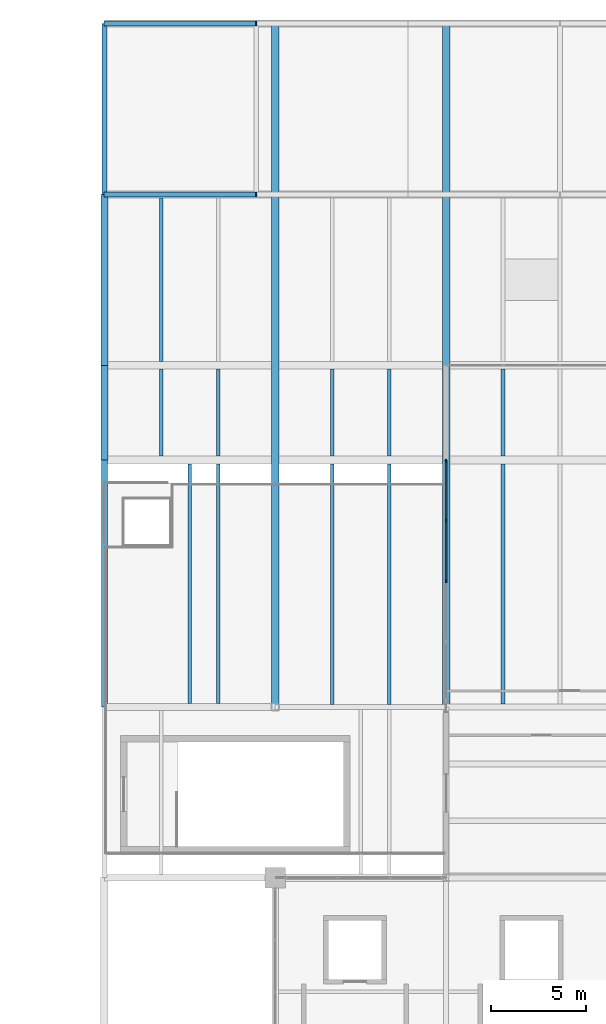
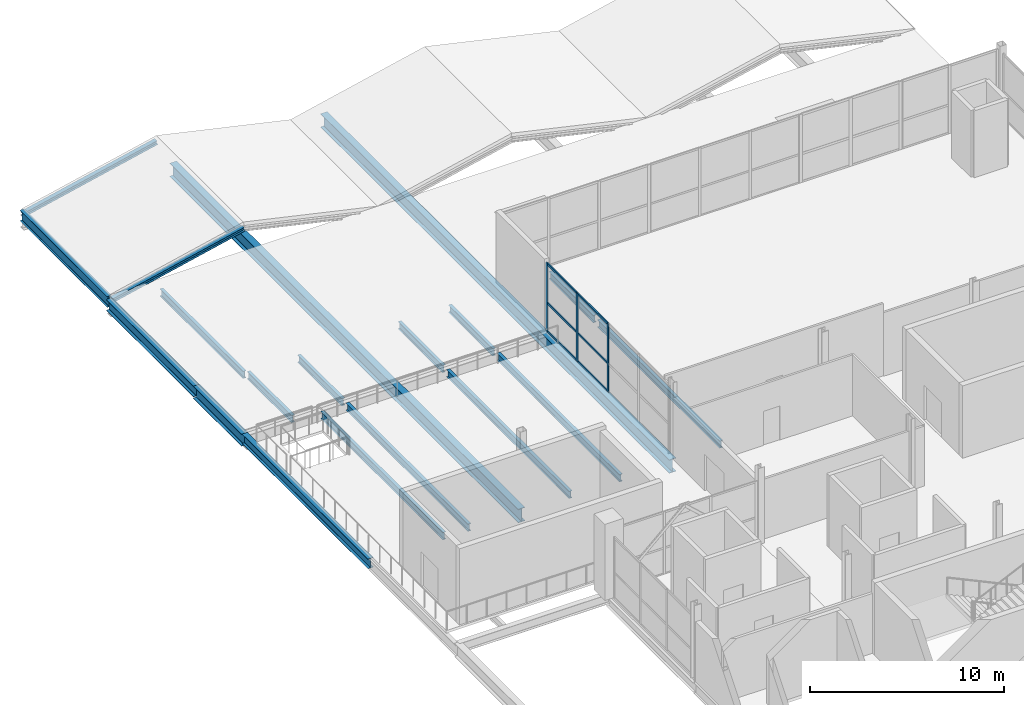
# One storey, part 21 of 50: 19 beams, 9 members, 1 element without a shape of its own.
"""IFC4 building model written with IfcOpenShell, lengths in metres."""

from ifc_helpers import new_model, si_unit, direction, frame, origin, origin_2d, place, context, subcontext, project, spatial, rectangle, i_section, extrude, material, layer, layer_set, material_profile, profile_set, type_object, element, aggregate, save


model = new_model("IFC4")

# Units and contexts
model_context = context("Model", 3, precision=1e-05, world=origin(), true_north=direction((0.0, 1.0)))
body_context = subcontext(model_context, "Body", "Model", "MODEL_VIEW")
ifc_project = project(units=[si_unit("LENGTHUNIT", "METRE"), si_unit("AREAUNIT", "SQUARE_METRE"), si_unit("VOLUMEUNIT", "CUBIC_METRE"), si_unit("PLANEANGLEUNIT", "RADIAN"), si_unit("MASSUNIT", "GRAM", prefix="KILO")], contexts=[model_context])

# Site, building, storey
site_placement = place(None, origin())
site = spatial("IfcSite", under=ifc_project, at=site_placement, CompositionType="ELEMENT")
building_placement = place(site_placement, origin())
building = spatial("IfcBuilding", under=site, at=building_placement, Name="Qamarlyn Nura Convention Centre", CompositionType="ELEMENT")
storey_placement = place(building_placement, frame((0.0, 0.0, 20.39990234375)))
storey = spatial("IfcBuildingStorey", under=building, at=storey_placement, Name="L04", CompositionType="ELEMENT", Elevation=20.39990234375)

# Beams
ifc_material_1 = material(Name="Steel ASTM A992", Category="steel")
ifc_material_profile_1 = material_profile(ifc_material_1, i_section(OverallWidth=0.323974609375, OverallDepth=0.611083984375, WebThickness=0.0126953125, FlangeThickness=0.01904296875, FilletRadius=0.01611328125, at=origin_2d()), Name="W610X155")
ifc_profile_set_1 = profile_set([ifc_material_profile_1], Name="Steel ASTM A992")
beam_type_1 = type_object("IfcBeamType", Name="BM-GIRD-610", PredefinedType="BEAM", material=ifc_profile_set_1)
beam_1_placement = place(storey_placement, frame((144.0, 90.0, -0.470458984375), z_axis=(0.0, 1.0, 0.0), x_axis=(-1.0, 0.0, 0.0)))
element("IfcBeam", 1, at=beam_1_placement, inside=storey, type_object=beam_type_1, Name="L04 girder 12 L-M", PredefinedType="BEAM", context=body_context, shape_type="SweptSolid", body=[
    extrude(i_section(OverallWidth=0.323974609375, OverallDepth=0.611083984375, WebThickness=0.0126953125, FlangeThickness=0.01904296875, FilletRadius=0.01611328125, at=origin_2d()), origin(), (0.0, 0.0, 1.0), 13.0),
])
ifc_material_profile_2 = material_profile(ifc_material_1, i_section(OverallWidth=0.35498046875, OverallDepth=0.695068359375, WebThickness=0.015380859375, FlangeThickness=0.02490234375, FilletRadius=0.01806640625, at=origin_2d()), Name="W690X217")
ifc_profile_set_2 = profile_set([ifc_material_profile_2], Name="Steel ASTM A992")
beam_type_2 = type_object("IfcBeamType", Name="BM-GIRD-690A", PredefinedType="BEAM", material=ifc_profile_set_2)
beam_2_placement = place(storey_placement, frame((144.0, 108.0, -0.50732421875), z_axis=(0.0, 1.0, 0.0), x_axis=(-1.0, 0.0, 0.0)))
element("IfcBeam", 2, at=beam_2_placement, inside=storey, type_object=beam_type_2, Name="L04 girder 12 N-P", PredefinedType="BEAM", context=body_context, shape_type="SweptSolid", body=[
    extrude(i_section(OverallWidth=0.35498046875, OverallDepth=0.695068359375, WebThickness=0.015380859375, FlangeThickness=0.02490234375, FilletRadius=0.01806640625, at=origin_2d()), origin(), (0.0, 0.0, 1.0), 9.0),
])
ifc_material_profile_3 = material_profile(ifc_material_1, i_section(OverallWidth=0.25390625, OverallDepth=0.68408203125, WebThickness=0.012451171875, FlangeThickness=0.01904296875, FilletRadius=0.01806640625, at=origin_2d()), Name="W690X140")
ifc_profile_set_3 = profile_set([ifc_material_profile_3], Name="Steel ASTM A992")
beam_type_3 = type_object("IfcBeamType", Name="BM-GIRD-690B", PredefinedType="BEAM", material=ifc_profile_set_3)
beam_3_placement = place(storey_placement, frame((144.0, 117.0, -0.341796875), z_axis=(0.0, 1.0, 0.0), x_axis=(-1.0, 0.0, 0.0)))
element("IfcBeam", 3, at=beam_3_placement, inside=storey, type_object=beam_type_3, Name="L04 girder 12 P-Q", PredefinedType="BEAM", context=body_context, shape_type="SweptSolid", body=[
    extrude(i_section(OverallWidth=0.25390625, OverallDepth=0.68408203125, WebThickness=0.012451171875, FlangeThickness=0.01904296875, FilletRadius=0.01806640625, at=origin_2d()), origin(), (0.0, 0.0, 1.0), 9.0),
])
ifc_material_profile_4 = material_profile(ifc_material_1, i_section(OverallWidth=0.381103515625, OverallDepth=0.77294921875, WebThickness=0.0166015625, FlangeThickness=0.027587890625, FilletRadius=0.02001953125, at=origin_2d()), Name="W760X257")
ifc_profile_set_4 = profile_set([ifc_material_profile_4], Name="Steel ASTM A992")
beam_type_4 = type_object("IfcBeamType", Name="BM-GIRD-760", PredefinedType="BEAM", material=ifc_profile_set_4)
beam_4_placement = place(storey_placement, frame((144.0, 103.0, -0.54638671875), z_axis=(0.0, 1.0, 0.0), x_axis=(-1.0, 0.0, 0.0)))
element("IfcBeam", 4, at=beam_4_placement, inside=storey, type_object=beam_type_4, Name="L04 girder 12 M-N", PredefinedType="BEAM", context=body_context, shape_type="SweptSolid", body=[
    extrude(i_section(OverallWidth=0.381103515625, OverallDepth=0.77294921875, WebThickness=0.0166015625, FlangeThickness=0.027587890625, FilletRadius=0.02001953125, at=origin_2d()), origin(), (0.0, 0.0, 1.0), 5.0),
])
ifc_material_profile_5 = material_profile(ifc_material_1, i_section(OverallWidth=0.39990234375, OverallDepth=0.85498046875, WebThickness=0.018310546875, FlangeThickness=0.029296875, FilletRadius=0.02197265625, at=origin_2d()), Name="W840X299")
ifc_profile_set_5 = profile_set([ifc_material_profile_5], Name="Steel ASTM A992")
beam_type_5 = type_object("IfcBeamType", Name="BM-GIRD-840", PredefinedType="BEAM", material=ifc_profile_set_5)
for number, where, z_axis, x_axis, name in (
    (5, (153.0, 90.0, -0.59228515625), (0.0, 1.0, 0.0), (-1.0, 0.0, 0.0), "L04 girder 13 L-Q"),
    (6, (162.0, 90.0, -0.62744140625), (0.0, 1.0, 0.0), (-1.0, 0.0, 0.0), "L04 girder 14 L-Q"),
):
    element("IfcBeam", number, at=place(storey_placement, frame(where, z_axis=z_axis, x_axis=x_axis)), inside=storey, type_object=beam_type_5, Name=name, PredefinedType="BEAM", context=body_context, shape_type="SweptSolid", body=[
        extrude(i_section(OverallWidth=0.39990234375, OverallDepth=0.85498046875, WebThickness=0.018310546875, FlangeThickness=0.029296875, FilletRadius=0.02197265625, at=origin_2d()), origin(), (0.0, 0.0, 1.0), 36.0),
    ])
ifc_material_profile_6 = material_profile(ifc_material_1, i_section(OverallWidth=0.18994140625, OverallDepth=0.45703125, WebThickness=0.009033203125, FlangeThickness=0.014404296875, FilletRadius=0.012939453125, at=origin_2d()), Name="W460X74")
ifc_profile_set_6 = profile_set([ifc_material_profile_6], Name="Steel ASTM A992")
beam_type_6 = type_object("IfcBeamType", Name="BM-JOIST-460", PredefinedType="JOIST", material=ifc_profile_set_6)
for number, where, z_axis, x_axis, name in (
    (7, (150.0, 90.177490234375, -0.428466796875), (0.0, 1.0, 0.0), (-1.0, 0.0, 0.0), "L04 secondary joist 12-13/L-M-02"),
    (8, (148.5, 90.177490234375, -0.428466796875), (0.0, 1.0, 0.0), (-1.0, 0.0, 0.0), "L04 secondary joist 12-13/L-M-03"),
):
    element("IfcBeam", number, at=place(storey_placement, frame(where, z_axis=z_axis, x_axis=x_axis)), inside=storey, type_object=beam_type_6, Name=name, PredefinedType="JOIST", context=body_context, shape_type="SweptSolid", body=[
        extrude(i_section(OverallWidth=0.18994140625, OverallDepth=0.45703125, WebThickness=0.009033203125, FlangeThickness=0.014404296875, FilletRadius=0.012939453125, at=origin_2d()), origin(), (0.0, 0.0, 1.0), 12.613525390625),
    ])
for number, where, z_axis, x_axis, name in (
    (9, (147.0, 103.208984375, -0.428466796875), (0.0, 1.0, 0.0), (-1.0, 0.0, 0.0), "L04 secondary joist 12-13/M-N-04"),
    (10, (150.0, 103.208984375, -0.428466796875), (0.0, 1.0, 0.0), (-1.0, 0.0, 0.0), "L04 secondary joist 12-13/M-N-05"),
):
    element("IfcBeam", number, at=place(storey_placement, frame(where, z_axis=z_axis, x_axis=x_axis)), inside=storey, type_object=beam_type_6, Name=name, PredefinedType="JOIST", context=body_context, shape_type="SweptSolid", body=[
        extrude(i_section(OverallWidth=0.18994140625, OverallDepth=0.45703125, WebThickness=0.009033203125, FlangeThickness=0.014404296875, FilletRadius=0.012939453125, at=origin_2d()), origin(), (0.0, 0.0, 1.0), 4.58203125),
    ])
beam_5_placement = place(storey_placement, frame((147.0, 108.208984375, -0.677001953125), z_axis=(0.0, 1.0, 0.0), x_axis=(-1.0, 0.0, 0.0)))
element("IfcBeam", 11, at=beam_5_placement, inside=storey, type_object=beam_type_6, Name="L04 secondary joist 12-13/N-P-06", PredefinedType="JOIST", context=body_context, shape_type="SweptSolid", body=[
    extrude(i_section(OverallWidth=0.18994140625, OverallDepth=0.45703125, WebThickness=0.009033203125, FlangeThickness=0.014404296875, FilletRadius=0.012939453125, at=origin_2d()), origin(), (0.0, 0.0, 1.0), 8.6005859375),
])
for number, where, z_axis, x_axis, name in (
    (12, (156.0, 90.126953125, -0.428466796875), (0.0, 1.0, 0.0), (-1.0, 0.0, 0.0), "L04 secondary joist 13-14/L-M-18"),
    (13, (159.0, 90.126953125, -0.428466796875), (0.0, 1.0, 0.0), (-1.0, 0.0, 0.0), "L04 secondary joist 13-14/L-M-19"),
):
    element("IfcBeam", number, at=place(storey_placement, frame(where, z_axis=z_axis, x_axis=x_axis)), inside=storey, type_object=beam_type_6, Name=name, PredefinedType="JOIST", context=body_context, shape_type="SweptSolid", body=[
        extrude(i_section(OverallWidth=0.18994140625, OverallDepth=0.45703125, WebThickness=0.009033203125, FlangeThickness=0.014404296875, FilletRadius=0.012939453125, at=origin_2d()), origin(), (0.0, 0.0, 1.0), 12.6640625),
    ])
for number, where, z_axis, x_axis, name in (
    (14, (156.0, 103.208984375, -0.428466796875), (0.0, 1.0, 0.0), (-1.0, 0.0, 0.0), "L04 secondary joist 13-14/M-N-20"),
    (15, (159.0, 103.208984375, -0.428466796875), (0.0, 1.0, 0.0), (-1.0, 0.0, 0.0), "L04 secondary joist 13-14/M-N-21"),
):
    element("IfcBeam", number, at=place(storey_placement, frame(where, z_axis=z_axis, x_axis=x_axis)), inside=storey, type_object=beam_type_6, Name=name, PredefinedType="JOIST", context=body_context, shape_type="SweptSolid", body=[
        extrude(i_section(OverallWidth=0.18994140625, OverallDepth=0.45703125, WebThickness=0.009033203125, FlangeThickness=0.014404296875, FilletRadius=0.012939453125, at=origin_2d()), origin(), (0.0, 0.0, 1.0), 4.58203125),
    ])
beam_6_placement = place(storey_placement, frame((165.0, 90.162109375, -0.428466796875), z_axis=(0.0, 1.0, 0.0), x_axis=(-1.0, 0.0, 0.0)))
element("IfcBeam", 16, at=beam_6_placement, inside=storey, type_object=beam_type_6, Name="L04 secondary joist 14-15/L-M-32", PredefinedType="JOIST", context=body_context, shape_type="SweptSolid", body=[
    extrude(i_section(OverallWidth=0.18994140625, OverallDepth=0.45703125, WebThickness=0.009033203125, FlangeThickness=0.014404296875, FilletRadius=0.012939453125, at=origin_2d()), origin(), (0.0, 0.0, 1.0), 12.62890625),
])
beam_7_placement = place(storey_placement, frame((165.0, 103.208984375, -0.428466796875), z_axis=(0.0, 1.0, 0.0), x_axis=(-1.0, 0.0, 0.0)))
element("IfcBeam", 17, at=beam_7_placement, inside=storey, type_object=beam_type_6, Name="L04 secondary joist 14-15/M-N-34", PredefinedType="JOIST", context=body_context, shape_type="SweptSolid", body=[
    extrude(i_section(OverallWidth=0.18994140625, OverallDepth=0.45703125, WebThickness=0.009033203125, FlangeThickness=0.014404296875, FilletRadius=0.012939453125, at=origin_2d()), origin(), (0.0, 0.0, 1.0), 4.58203125),
])
ifc_material_profile_7 = material_profile(ifc_material_1, i_section(OverallWidth=0.25390625, OverallDepth=0.2529296875, WebThickness=0.008544921875, FlangeThickness=0.01416015625, FilletRadius=0.012939453125, at=origin_2d()), Name="W250X73")
ifc_profile_set_7 = profile_set([ifc_material_profile_7], Name="Steel ASTM A992")
beam_type_7 = type_object("IfcBeamType", Name="BM-PURL-250", PredefinedType="BEAM", material=ifc_profile_set_7)
for number, where, z_axis, x_axis, name in (
    (18, (144.0, 117.0, -0.31982421875), (0.97561485681, 0.0, 0.21948952406), (0.0, 1.0, 0.0), "ROOF TRUSS Plenary rafter 1W-117"),
    (19, (144.0, 126.0, -0.31982421875), (0.97561485681, 0.0, 0.21948952406), (0.0, 1.0, 0.0), "ROOF TRUSS Plenary rafter 1W-126"),
):
    element("IfcBeam", number, at=place(storey_placement, frame(where, z_axis=z_axis, x_axis=x_axis)), inside=storey, type_object=beam_type_7, Name=name, PredefinedType="BEAM", context=body_context, shape_type="SweptSolid", body=[
        extrude(i_section(OverallWidth=0.25390625, OverallDepth=0.2529296875, WebThickness=0.008544921875, FlangeThickness=0.01416015625, FilletRadius=0.012939453125, at=origin_2d()), origin(), (0.0, 0.0, 1.0), 8.199951171875),
    ])

# Curtain wall, members
ifc_material_2 = material(Name="Double-silver low-E insulated glass", Category="glass")
ifc_layer = layer(ifc_material_2, 0.179931640625, Name="CW-UNIT-148")
ifc_layer_set = layer_set([ifc_layer], Name="Double-silver low-E insulated glass")
curtain_wall_type = type_object("IfcCurtainWallType", Name="CW-UNIT-148", PredefinedType="NOTDEFINED", material=ifc_layer_set)
curtain_wall_placement = place(storey_placement, origin())
curtain_wall = element("IfcCurtainWall", 20, at=curtain_wall_placement, inside=storey, type_object=curtain_wall_type, Name="L04 unitised curtain wall DLW-90-1", PredefinedType="NOTDEFINED")
ifc_material_3 = material(Name="Champagne-anodised marine aluminium", Category="aluminium")
ifc_material_profile_8 = material_profile(ifc_material_3, rectangle(XDim=0.070068359375, YDim=0.179931640625, at=origin_2d()), Name="ALU MULLION 70x180")
ifc_profile_set_8 = profile_set([ifc_material_profile_8], Name="Champagne-anodised marine aluminium")
member_type_1 = type_object("IfcMemberType", Name="CWM-180", PredefinedType="MULLION", material=ifc_profile_set_8)
member_1_placement = place(storey_placement, frame((162.0, 96.634765625, 0.0), z_axis=(0.0, 0.0, 1.0), x_axis=(-1.0, 0.0, 0.0)))
member_1 = element("IfcMember", 21, at=member_1_placement, type_object=member_type_1, Name="CW148 mullion 3", PredefinedType="MULLION", context=body_context, shape_type="SweptSolid", body=[
    extrude(rectangle(XDim=0.070068359375, YDim=0.179931640625, at=origin_2d()), origin(), (0.0, 0.0, 1.0), 4.31005859375),
])
member_2_placement = place(storey_placement, frame((162.0, 99.8173828125, 0.0), z_axis=(0.0, 0.0, 1.0), x_axis=(-1.0, 0.0, 0.0)))
member_2 = element("IfcMember", 22, at=member_2_placement, type_object=member_type_1, Name="CW148 mullion 4", PredefinedType="MULLION", context=body_context, shape_type="SweptSolid", body=[
    extrude(rectangle(XDim=0.070068359375, YDim=0.179931640625, at=origin_2d()), origin(), (0.0, 0.0, 1.0), 4.31005859375),
])
member_3_placement = place(storey_placement, frame((162.0, 102.965087890625, 0.0), z_axis=(0.0, 0.0, 1.0), x_axis=(-1.0, 0.0, 0.0)))
member_3 = element("IfcMember", 23, at=member_3_placement, type_object=member_type_1, Name="CW148 mullion 5", PredefinedType="MULLION", context=body_context, shape_type="SweptSolid", body=[
    extrude(rectangle(XDim=0.070068359375, YDim=0.179931640625, at=origin_2d()), origin(), (0.0, 0.0, 1.0), 4.31005859375),
])
ifc_material_profile_9 = material_profile(ifc_material_3, rectangle(XDim=0.070068359375, YDim=0.139892578125, at=origin_2d()), Name="ALU TRANSOM 70x140")
ifc_profile_set_9 = profile_set([ifc_material_profile_9], Name="Champagne-anodised marine aluminium")
member_type_2 = type_object("IfcMemberType", Name="CWT-140", PredefinedType="USERDEFINED", material=ifc_profile_set_9)
member_4_placement = place(storey_placement, frame((162.0, 96.669677734375, 0.03515625), z_axis=(0.0, 1.0, 0.0), x_axis=(-1.0, 0.0, 0.0)))
member_4 = element("IfcMember", 24, at=member_4_placement, type_object=member_type_2, Name="CW148 transom 3.1", ObjectType="TRANSOM", PredefinedType="USERDEFINED", context=body_context, shape_type="SweptSolid", body=[
    extrude(rectangle(XDim=0.070068359375, YDim=0.139892578125, at=origin_2d()), origin(), (0.0, 0.0, 1.0), 3.11279296875),
])
member_5_placement = place(storey_placement, frame((162.0, 96.669677734375, 1.81005859375), z_axis=(0.0, 1.0, 0.0), x_axis=(-1.0, 0.0, 0.0)))
member_5 = element("IfcMember", 25, at=member_5_placement, type_object=member_type_2, Name="CW148 transom 3.2", ObjectType="TRANSOM", PredefinedType="USERDEFINED", context=body_context, shape_type="SweptSolid", body=[
    extrude(rectangle(XDim=0.070068359375, YDim=0.139892578125, at=origin_2d()), origin(), (0.0, 0.0, 1.0), 3.11279296875),
])
member_6_placement = place(storey_placement, frame((162.0, 96.669677734375, 4.275146484375), z_axis=(0.0, 1.0, 0.0), x_axis=(-1.0, 0.0, 0.0)))
member_6 = element("IfcMember", 26, at=member_6_placement, type_object=member_type_2, Name="CW148 transom 3.3", ObjectType="TRANSOM", PredefinedType="USERDEFINED", context=body_context, shape_type="SweptSolid", body=[
    extrude(rectangle(XDim=0.070068359375, YDim=0.139892578125, at=origin_2d()), origin(), (0.0, 0.0, 1.0), 3.11279296875),
])
member_7_placement = place(storey_placement, frame((162.0, 99.852294921875, 0.03515625), z_axis=(0.0, 1.0, 0.0), x_axis=(-1.0, 0.0, 0.0)))
member_7 = element("IfcMember", 27, at=member_7_placement, type_object=member_type_2, Name="CW148 transom 4.1", ObjectType="TRANSOM", PredefinedType="USERDEFINED", context=body_context, shape_type="SweptSolid", body=[
    extrude(rectangle(XDim=0.070068359375, YDim=0.139892578125, at=origin_2d()), origin(), (0.0, 0.0, 1.0), 3.07763671875),
])
member_8_placement = place(storey_placement, frame((162.0, 99.852294921875, 1.81005859375), z_axis=(0.0, 1.0, 0.0), x_axis=(-1.0, 0.0, 0.0)))
member_8 = element("IfcMember", 28, at=member_8_placement, type_object=member_type_2, Name="CW148 transom 4.2", ObjectType="TRANSOM", PredefinedType="USERDEFINED", context=body_context, shape_type="SweptSolid", body=[
    extrude(rectangle(XDim=0.070068359375, YDim=0.139892578125, at=origin_2d()), origin(), (0.0, 0.0, 1.0), 3.07763671875),
])
member_9_placement = place(storey_placement, frame((162.0, 99.852294921875, 4.275146484375), z_axis=(0.0, 1.0, 0.0), x_axis=(-1.0, 0.0, 0.0)))
member_9 = element("IfcMember", 29, at=member_9_placement, type_object=member_type_2, Name="CW148 transom 4.3", ObjectType="TRANSOM", PredefinedType="USERDEFINED", context=body_context, shape_type="SweptSolid", body=[
    extrude(rectangle(XDim=0.070068359375, YDim=0.139892578125, at=origin_2d()), origin(), (0.0, 0.0, 1.0), 3.07763671875),
])
aggregate(curtain_wall, [member_1, member_2, member_3, member_4, member_5, member_6, member_7, member_8, member_9])

save(model, "model.ifc")
